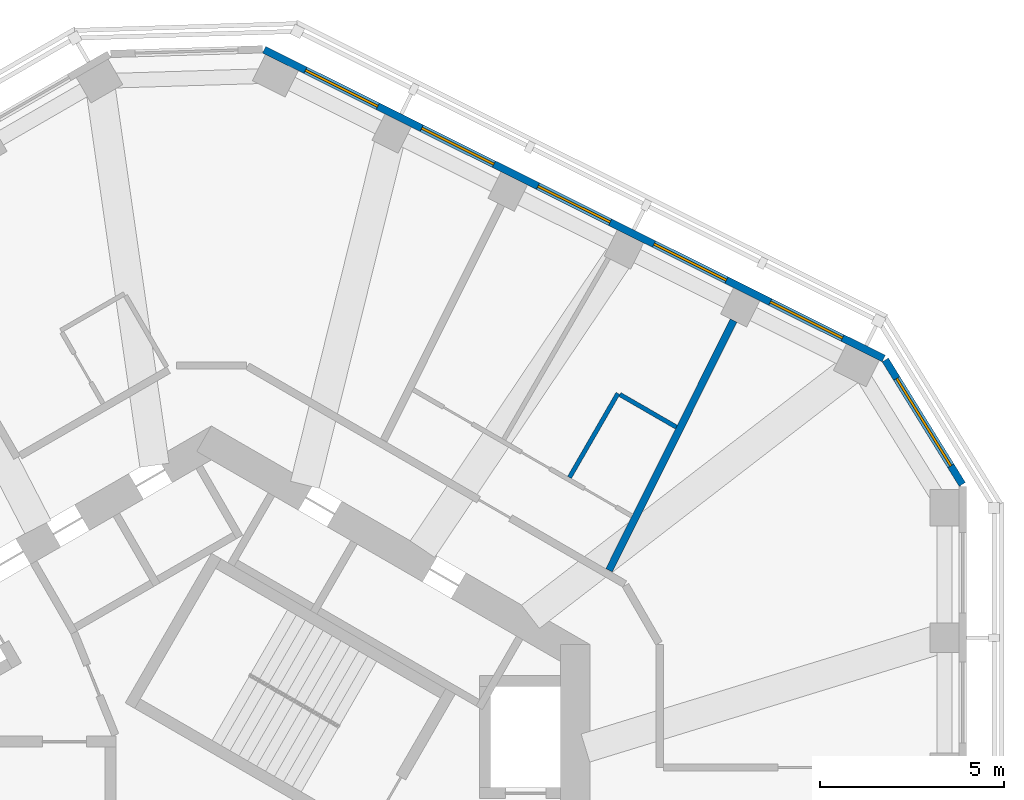
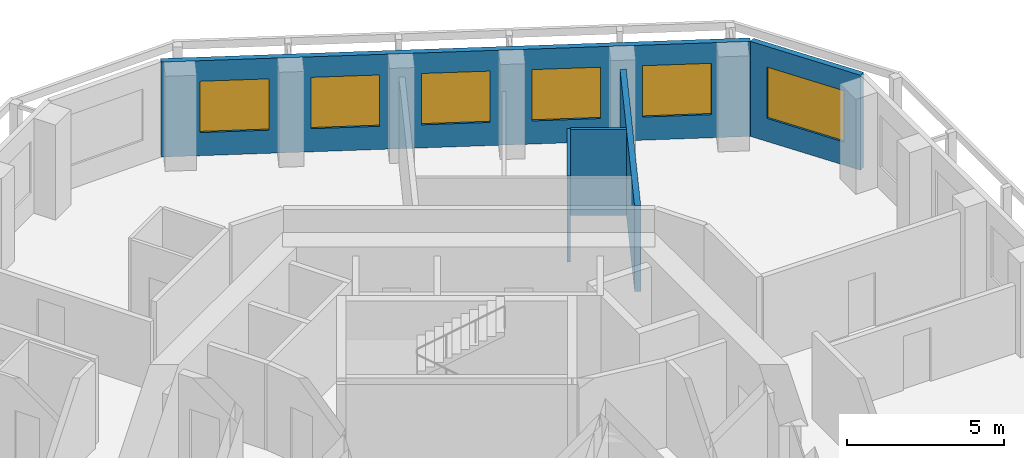
# One storey, part 8 of 11: 6 windows, 5 walls, 6 openings.
"""IFC4 building model written with IfcOpenShell, lengths in metres."""

from ifc_helpers import new_model, si_unit, direction, frame, frame_2d, origin, place, context, subcontext, project, spatial, rectangle, extrude, material, layer, layer_set, type_object, element, fill, save


model = new_model("IFC4")

# Units and contexts
model_context = context("Model", 3, precision=1e-05, world=origin(), true_north=direction((0.0, 1.0)))
body_context = subcontext(model_context, "Body", "Model", "MODEL_VIEW")
ifc_project = project(units=[si_unit("LENGTHUNIT", "METRE"), si_unit("AREAUNIT", "SQUARE_METRE"), si_unit("VOLUMEUNIT", "CUBIC_METRE"), si_unit("PLANEANGLEUNIT", "RADIAN"), si_unit("MASSUNIT", "GRAM", prefix="KILO")], contexts=[model_context])

# Site, building, storey
site_placement = place(None, origin())
site = spatial("IfcSite", under=ifc_project, at=site_placement, CompositionType="ELEMENT")
building_placement = place(site_placement, origin())
building = spatial("IfcBuilding", under=site, at=building_placement, Name="Vanh Sen Convention Tower", CompositionType="ELEMENT")
storey_placement = place(building_placement, frame((0.0, 0.0, 251.300048828125)))
storey = spatial("IfcBuildingStorey", under=building, at=storey_placement, Name="L62", CompositionType="ELEMENT", Elevation=251.300048828125)

# Walls
ifc_material_1 = material(Name="Moisture-resistant gypsum board on steel studs", Category="steel")
ifc_layer_1 = layer(ifc_material_1, 0.1201171875)
ifc_layer_set_1 = layer_set([ifc_layer_1], Name="Moisture-resistant gypsum board on steel studs")
wall_type_1 = type_object("IfcWallType", Name="Bathroom partition 120", PredefinedType="PARTITIONING", material=ifc_layer_set_1)
wall_1_placement = place(storey_placement, frame((11.065185546875, 12.779541015625, 0.0), z_axis=(0.0, 0.0, 1.0), x_axis=(-0.499938597367, -0.866060851709, 0.0)))
element("IfcWall", 1, at=wall_1_placement, inside=storey, type_object=wall_type_1, Name="Bathroom partition 120", PredefinedType="PARTITIONING", context=body_context, shape_type="SweptSolid", body=[
    extrude(rectangle(XDim=2.639892578125, YDim=0.1201171875, at=frame_2d((1.31982421875, 0.0))), origin(), (0.0, 0.0, 1.0), 3.349853515625),
])
wall_2_placement = place(storey_placement, frame((12.654296875, 11.862060546875, 0.0), z_axis=(0.0, 0.0, 1.0), x_axis=(-0.866025242659, 0.500000279077, 0.0)))
element("IfcWall", 2, at=wall_2_placement, inside=storey, type_object=wall_type_1, Name="Bathroom partition 120", PredefinedType="PARTITIONING", context=body_context, shape_type="SweptSolid", body=[
    extrude(rectangle(XDim=1.77490234375, YDim=0.1201171875, at=frame_2d((0.887451171875, 0.0))), origin(), (0.0, 0.0, 1.0), 3.349853515625),
])

# Wall, opening, window
ifc_material_2 = material(Name="Insulated lightweight infill wall")
ifc_layer_2 = layer(ifc_material_2, 0.199951171875)
ifc_layer_set_2 = layer_set([ifc_layer_2], Name="Insulated lightweight infill wall")
wall_type_2 = type_object("IfcWallType", Name="External wall 200", PredefinedType="STANDARD", material=ifc_layer_set_2)
wall_3_placement = place(storey_placement, frame((20.43505859375, 10.3037109375, 0.0), z_axis=(0.0, 0.0, 1.0), x_axis=(-0.526202661606, 0.850359194058, 0.0)))
wall_3 = element("IfcWall", 3, at=wall_3_placement, inside=storey, type_object=wall_type_2, Name="External wall CH1 L62", PredefinedType="STANDARD", context=body_context, shape_type="SweptSolid", body=[
    extrude(rectangle(XDim=3.982666015625, YDim=0.199951171875, at=frame_2d((1.9912109375, 0.0))), origin(), (0.0, 0.0, 1.0), 3.699951171875),
])
opening_1_placement = place(wall_3_placement, frame((0.59130859375, 0.0, 0.89990234375)))
opening_1 = element("IfcOpeningElement", 4, at=opening_1_placement, cuts=wall_3, Name="Opening WO4-CH11", PredefinedType="OPENING", context=body_context, shape_type="SweptSolid", body=[
    extrude(rectangle(XDim=2.800048828125, YDim=2.0, at=frame_2d((1.39990234375, 1.0))), frame((0.0, 0.10986328125, 0.0), z_axis=(0.0, -1.0, 0.0), x_axis=(1.0, 0.0, 0.0)), (0.0, 0.0, 1.0), 0.219970703125),
])
ifc_material_3 = material(Name="Aluminium frame with clear low-emissivity glass", Category="aluminium")
window_type_1 = type_object("IfcWindowType", Name="Office window 2800 x 2000", PartitioningType="SINGLE_PANEL", PredefinedType="WINDOW", material=ifc_material_3)
window_1_placement = place(opening_1_placement, origin())
window_1 = element("IfcWindow", 5, at=window_1_placement, inside=storey, type_object=window_type_1, Name="Window WO4-CH11", OverallHeight=2.0, OverallWidth=2.800048828125, PartitioningType="SINGLE_PANEL", PredefinedType="WINDOW", context=body_context, shape_type="SweptSolid", body=[
    extrude(rectangle(XDim=2.800048828125, YDim=2.0, at=frame_2d((1.39990234375, 1.0))), frame((0.0, 0.030029296875, 0.0), z_axis=(0.0, -1.0, 0.0), x_axis=(1.0, 0.0, 0.0)), (0.0, 0.0, 1.0), 0.06005859375),
])
fill(opening_1, window_1)

# Wall, openings, windows
wall_4_placement = place(storey_placement, frame((18.298828125, 13.727294921875, 0.0), z_axis=(0.0, 0.0, 1.0), x_axis=(-0.894934554817, 0.44619742558, 0.0)))
wall_4 = element("IfcWall", 6, at=wall_4_placement, inside=storey, type_object=wall_type_2, Name="External wall NE L62", PredefinedType="STANDARD", context=body_context, shape_type="SweptSolid", body=[
    extrude(rectangle(XDim=18.84130859375, YDim=0.199951171875, at=frame_2d((9.420654296875, 0.0))), origin(), (0.0, 0.0, 1.0), 3.699951171875),
])
opening_2_placement = place(wall_4_placement, frame((1.252685546875, 0.0, 0.89990234375)))
opening_2 = element("IfcOpeningElement", 7, at=opening_2_placement, cuts=wall_4, Name="Opening WO3-NE1", PredefinedType="OPENING", context=body_context, shape_type="SweptSolid", body=[
    extrude(rectangle(XDim=2.199951171875, YDim=2.0, at=frame_2d((1.10009765625, 1.0))), frame((0.0, 0.10986328125, 0.0), z_axis=(0.0, -1.0, 0.0), x_axis=(1.0, 0.0, 0.0)), (0.0, 0.0, 1.0), 0.219970703125),
])
opening_3_placement = place(wall_4_placement, frame((4.7861328125, 0.0, 0.89990234375)))
opening_3 = element("IfcOpeningElement", 8, at=opening_3_placement, cuts=wall_4, Name="Opening WO3-NE2", PredefinedType="OPENING", context=body_context, shape_type="SweptSolid", body=[
    extrude(rectangle(XDim=2.199951171875, YDim=2.0, at=frame_2d((1.10009765625, 1.0))), frame((0.0, 0.10986328125, 0.0), z_axis=(0.0, -1.0, 0.0), x_axis=(1.0, 0.0, 0.0)), (0.0, 0.0, 1.0), 0.219970703125),
])
opening_4_placement = place(wall_4_placement, frame((8.31982421875, 0.0, 0.89990234375)))
opening_4 = element("IfcOpeningElement", 9, at=opening_4_placement, cuts=wall_4, Name="Opening WO3-NE3", PredefinedType="OPENING", context=body_context, shape_type="SweptSolid", body=[
    extrude(rectangle(XDim=2.199951171875, YDim=2.0, at=frame_2d((1.10009765625, 1.0))), frame((0.0, 0.10986328125, 0.0), z_axis=(0.0, -1.0, 0.0), x_axis=(1.0, 0.0, 0.0)), (0.0, 0.0, 1.0), 0.219970703125),
])
opening_5_placement = place(wall_4_placement, frame((11.853515625, 0.0, 0.89990234375)))
opening_5 = element("IfcOpeningElement", 10, at=opening_5_placement, cuts=wall_4, Name="Opening WO3-NE4", PredefinedType="OPENING", context=body_context, shape_type="SweptSolid", body=[
    extrude(rectangle(XDim=2.199951171875, YDim=2.0, at=frame_2d((1.10009765625, 1.0))), frame((0.0, 0.10986328125, 0.0), z_axis=(0.0, -1.0, 0.0), x_axis=(1.0, 0.0, 0.0)), (0.0, 0.0, 1.0), 0.219970703125),
])
opening_6_placement = place(wall_4_placement, frame((15.38720703125, 0.0, 0.89990234375)))
opening_6 = element("IfcOpeningElement", 11, at=opening_6_placement, cuts=wall_4, Name="Opening WO3-NE5", PredefinedType="OPENING", context=body_context, shape_type="SweptSolid", body=[
    extrude(rectangle(XDim=2.199951171875, YDim=2.0, at=frame_2d((1.10009765625, 1.0))), frame((0.0, 0.10986328125, 0.0), z_axis=(0.0, -1.0, 0.0), x_axis=(1.0, 0.0, 0.0)), (0.0, 0.0, 1.0), 0.219970703125),
])
window_type_2 = type_object("IfcWindowType", Name="Office window 2200 x 2000", PartitioningType="SINGLE_PANEL", PredefinedType="WINDOW", material=ifc_material_3)
window_2_placement = place(opening_2_placement, origin())
window_2 = element("IfcWindow", 12, at=window_2_placement, inside=storey, type_object=window_type_2, Name="Window WO3-NE1", OverallHeight=2.0, OverallWidth=2.199951171875, PartitioningType="SINGLE_PANEL", PredefinedType="WINDOW", context=body_context, shape_type="SweptSolid", body=[
    extrude(rectangle(XDim=2.199951171875, YDim=2.0, at=frame_2d((1.10009765625, 1.0))), frame((0.0, 0.030029296875, 0.0), z_axis=(0.0, -1.0, 0.0), x_axis=(1.0, 0.0, 0.0)), (0.0, 0.0, 1.0), 0.06005859375),
])
fill(opening_2, window_2)
window_3_placement = place(opening_3_placement, origin())
window_3 = element("IfcWindow", 13, at=window_3_placement, inside=storey, type_object=window_type_2, Name="Window WO3-NE2", OverallHeight=2.0, OverallWidth=2.199951171875, PartitioningType="SINGLE_PANEL", PredefinedType="WINDOW", context=body_context, shape_type="SweptSolid", body=[
    extrude(rectangle(XDim=2.199951171875, YDim=2.0, at=frame_2d((1.10009765625, 1.0))), frame((0.0, 0.030029296875, 0.0), z_axis=(0.0, -1.0, 0.0), x_axis=(1.0, 0.0, 0.0)), (0.0, 0.0, 1.0), 0.06005859375),
])
fill(opening_3, window_3)
window_4_placement = place(opening_4_placement, origin())
window_4 = element("IfcWindow", 14, at=window_4_placement, inside=storey, type_object=window_type_2, Name="Window WO3-NE3", OverallHeight=2.0, OverallWidth=2.199951171875, PartitioningType="SINGLE_PANEL", PredefinedType="WINDOW", context=body_context, shape_type="SweptSolid", body=[
    extrude(rectangle(XDim=2.199951171875, YDim=2.0, at=frame_2d((1.10009765625, 1.0))), frame((0.0, 0.030029296875, 0.0), z_axis=(0.0, -1.0, 0.0), x_axis=(1.0, 0.0, 0.0)), (0.0, 0.0, 1.0), 0.06005859375),
])
fill(opening_4, window_4)
window_5_placement = place(opening_5_placement, origin())
window_5 = element("IfcWindow", 15, at=window_5_placement, inside=storey, type_object=window_type_2, Name="Window WO3-NE4", OverallHeight=2.0, OverallWidth=2.199951171875, PartitioningType="SINGLE_PANEL", PredefinedType="WINDOW", context=body_context, shape_type="SweptSolid", body=[
    extrude(rectangle(XDim=2.199951171875, YDim=2.0, at=frame_2d((1.10009765625, 1.0))), frame((0.0, 0.030029296875, 0.0), z_axis=(0.0, -1.0, 0.0), x_axis=(1.0, 0.0, 0.0)), (0.0, 0.0, 1.0), 0.06005859375),
])
fill(opening_5, window_5)
window_6_placement = place(opening_6_placement, origin())
window_6 = element("IfcWindow", 16, at=window_6_placement, inside=storey, type_object=window_type_2, Name="Window WO3-NE5", OverallHeight=2.0, OverallWidth=2.199951171875, PartitioningType="SINGLE_PANEL", PredefinedType="WINDOW", context=body_context, shape_type="SweptSolid", body=[
    extrude(rectangle(XDim=2.199951171875, YDim=2.0, at=frame_2d((1.10009765625, 1.0))), frame((0.0, 0.030029296875, 0.0), z_axis=(0.0, -1.0, 0.0), x_axis=(1.0, 0.0, 0.0)), (0.0, 0.0, 1.0), 0.06005859375),
])
fill(opening_6, window_6)

# Wall
ifc_material_4 = material(Name="Gypsum board on steel studs with mineral wool", Category="steel")
ifc_layer_3 = layer(ifc_material_4, 0.199951171875)
ifc_layer_set_3 = layer_set([ifc_layer_3], Name="Gypsum board on steel studs with mineral wool")
wall_type_3 = type_object("IfcWallType", Name="Tenant suite wall 200", PredefinedType="PARTITIONING", material=ifc_layer_set_3)
wall_5_placement = place(storey_placement, frame((14.210693359375, 14.760009765625, 0.0), z_axis=(0.0, 0.0, 1.0), x_axis=(-0.446197176117, -0.894934679195, 0.0)))
element("IfcWall", 17, at=wall_5_placement, inside=storey, type_object=wall_type_3, Name="Tenant suite wall 200", PredefinedType="PARTITIONING", context=body_context, shape_type="SweptSolid", body=[
    extrude(rectangle(XDim=7.59228515625, YDim=0.199951171875, at=frame_2d((3.796142578125, 0.0))), origin(), (0.0, 0.0, 1.0), 3.349853515625),
])

save(model, "model.ifc")
